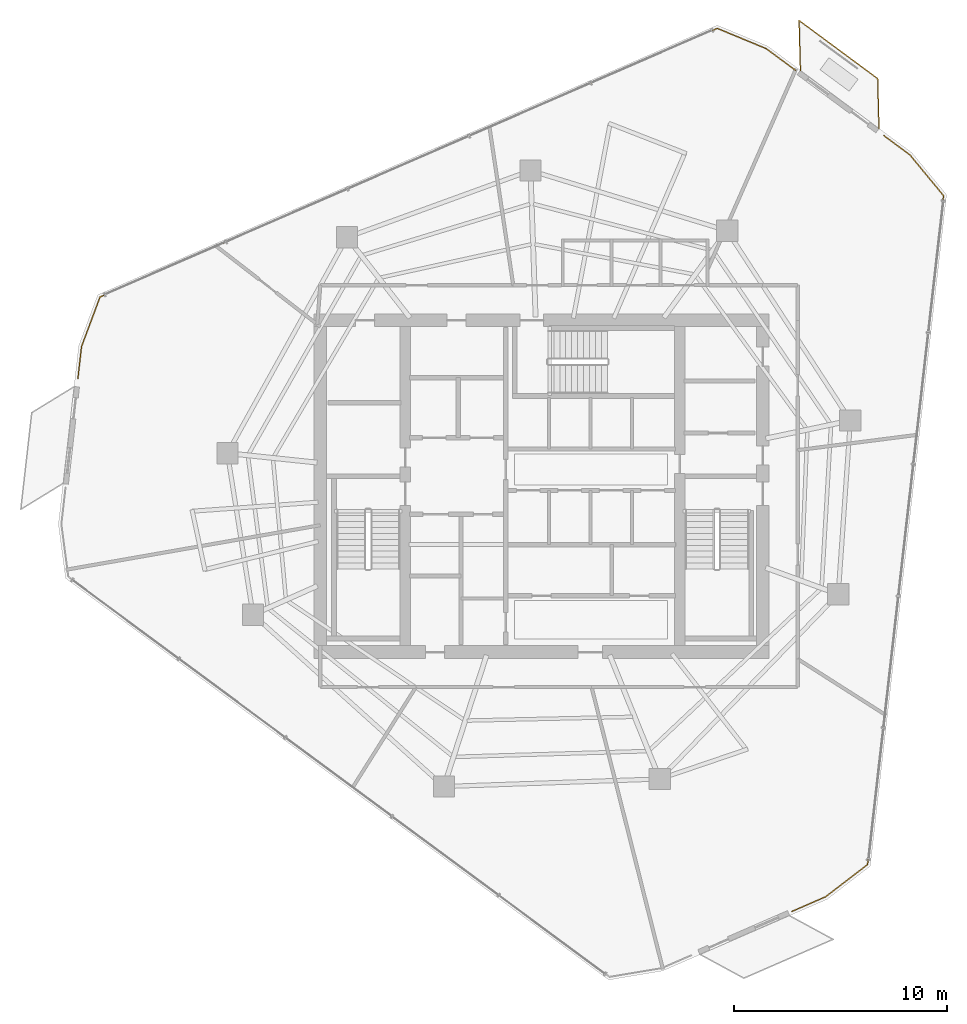
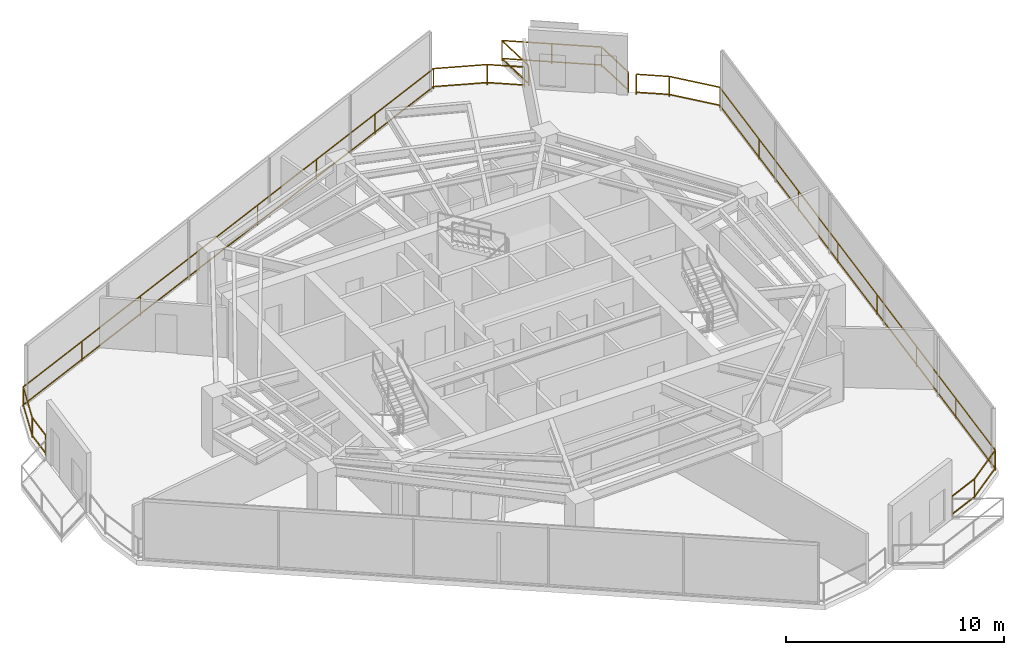
# One storey, part 22 of 22: 4 railings.
"""IFC4 building model written with IfcOpenShell, lengths in metres."""

from ifc_helpers import new_model, si_unit, direction, frame, origin, origin_2d, place, context, subcontext, project, spatial, rectangle, extrude, material, type_object, element, save


model = new_model("IFC4")

# Units and contexts
model_context = context("Model", 3, precision=1e-05, world=origin(), true_north=direction((0.0, 1.0)))
body_context = subcontext(model_context, "Body", "Model", "MODEL_VIEW")
ifc_project = project(units=[si_unit("LENGTHUNIT", "METRE"), si_unit("AREAUNIT", "SQUARE_METRE"), si_unit("VOLUMEUNIT", "CUBIC_METRE"), si_unit("PLANEANGLEUNIT", "RADIAN"), si_unit("MASSUNIT", "GRAM", prefix="KILO")], contexts=[model_context])

# Site, building, storey
site_placement = place(None, origin())
site = spatial("IfcSite", under=ifc_project, at=site_placement, CompositionType="ELEMENT")
building_placement = place(site_placement, origin())
building = spatial("IfcBuilding", under=site, at=building_placement, Name="Qarnah Convention Tower", CompositionType="ELEMENT")
storey_placement = place(building_placement, frame((0.0, 0.0, 154.5)))
storey = spatial("IfcBuildingStorey", under=building, at=storey_placement, Name="L41", CompositionType="ELEMENT", Elevation=154.5)

# Railings
ifc_material = material(Name="Black anodised aluminium", Category="aluminium")
railing_type = type_object("IfcRailingType", Name="RL-EXT-GUARD-1150", PredefinedType="GUARDRAIL", material=ifc_material)
railing_1_placement = place(storey_placement, frame((47.764892578125, 46.97607421875, 0.0)))
element("IfcRailing", 1, at=railing_1_placement, inside=storey, type_object=railing_type, Name="L41 slab-edge perimeter safety guard 01", PredefinedType="GUARDRAIL", context=body_context, shape_type="SweptSolid", body=[
    extrude(rectangle(XDim=0.048095703125, YDim=0.048095703125, at=origin_2d()), frame((0.0, 0.0, 1.1259765625), z_axis=(0.804085088929, -0.594514230075, 0.0), x_axis=(0.594514230075, 0.804085088929, 0.0)), (0.0, 0.0, 1.0), 1.7275390625),
    extrude(rectangle(XDim=0.048095703125, YDim=0.048095703125, at=origin_2d()), frame((0.0, 0.0, 0.1201171875), z_axis=(0.804085088929, -0.594514230075, 0.0), x_axis=(0.594514230075, 0.804085088929, 0.0)), (0.0, 0.0, 1.0), 1.7275390625),
    extrude(rectangle(XDim=0.0419921875, YDim=0.0419921875, at=origin_2d()), origin(), (0.0, 0.0, 1.0), 1.101806640625),
    extrude(rectangle(XDim=0.0419921875, YDim=0.0419921875, at=origin_2d()), frame((1.38916015625, -1.027099609375, 0.0)), (0.0, 0.0, 1.0), 1.101806640625),
])
railing_2_placement = place(storey_placement, frame((53.302001953125, 42.882080078125, 0.0)))
element("IfcRailing", 2, at=railing_2_placement, inside=storey, type_object=railing_type, Name="L41 slab-edge perimeter safety guard 02", PredefinedType="GUARDRAIL", context=body_context, shape_type="SweptSolid", body=[
    extrude(rectangle(XDim=0.048095703125, YDim=0.048095703125, at=origin_2d()), frame((0.0, 0.0, 1.1259765625), z_axis=(0.803975633344, -0.5946622411, 0.0), x_axis=(0.5946622411, 0.803975633344, 0.0)), (0.0, 0.0, 1.0), 1.5185546875),
    extrude(rectangle(XDim=0.048095703125, YDim=0.048095703125, at=origin_2d()), frame((0.0, 0.0, 0.1201171875), z_axis=(0.803975633344, -0.5946622411, 0.0), x_axis=(0.5946622411, 0.803975633344, 0.0)), (0.0, 0.0, 1.0), 1.5185546875),
    extrude(rectangle(XDim=0.048095703125, YDim=0.048095703125, at=origin_2d()), frame((1.220947265625, -0.903076171875, 1.1259765625), z_axis=(0.636312837947, -0.771431119585, 0.0), x_axis=(0.771431119585, 0.636312837947, 0.0)), (0.0, 0.0, 1.0), 2.486328125),
    extrude(rectangle(XDim=0.048095703125, YDim=0.048095703125, at=origin_2d()), frame((1.220947265625, -0.903076171875, 0.1201171875), z_axis=(0.636312837947, -0.771431119585, 0.0), x_axis=(0.771431119585, 0.636312837947, 0.0)), (0.0, 0.0, 1.0), 2.486328125),
    extrude(rectangle(XDim=0.048095703125, YDim=0.048095703125, at=origin_2d()), frame((2.802978515625, -2.821044921875, 1.1259765625), z_axis=(-0.112868157649, -0.993609973274, 0.0), x_axis=(0.993609973274, -0.112868157649, 0.0)), (0.0, 0.0, 1.0), 31.656494140625),
    extrude(rectangle(XDim=0.048095703125, YDim=0.048095703125, at=origin_2d()), frame((2.802978515625, -2.821044921875, 0.1201171875), z_axis=(-0.112868157649, -0.993609973274, 0.0), x_axis=(0.993609973274, -0.112868157649, 0.0)), (0.0, 0.0, 1.0), 31.656494140625),
    extrude(rectangle(XDim=0.048095703125, YDim=0.048095703125, at=origin_2d()), frame((-0.77001953125, -34.275146484375, 1.1259765625), z_axis=(-0.793196802008, -0.60896537938, 0.0), x_axis=(0.60896537938, -0.793196802008, 0.0)), (0.0, 0.0, 1.0), 2.486083984375),
    extrude(rectangle(XDim=0.048095703125, YDim=0.048095703125, at=origin_2d()), frame((-0.77001953125, -34.275146484375, 0.1201171875), z_axis=(-0.793196802008, -0.60896537938, 0.0), x_axis=(0.60896537938, -0.793196802008, 0.0)), (0.0, 0.0, 1.0), 2.486083984375),
    extrude(rectangle(XDim=0.048095703125, YDim=0.048095703125, at=origin_2d()), frame((-2.741943359375, -35.7890625, 1.1259765625), z_axis=(-0.916688007247, -0.399603675371, 0.0), x_axis=(0.399603675371, -0.916688007247, 0.0)), (0.0, 0.0, 1.0), 1.72900390625),
    extrude(rectangle(XDim=0.048095703125, YDim=0.048095703125, at=origin_2d()), frame((-2.741943359375, -35.7890625, 0.1201171875), z_axis=(-0.916688007247, -0.399603675371, 0.0), x_axis=(0.399603675371, -0.916688007247, 0.0)), (0.0, 0.0, 1.0), 1.72900390625),
    extrude(rectangle(XDim=0.0419921875, YDim=0.0419921875, at=origin_2d()), origin(), (0.0, 0.0, 1.0), 1.101806640625),
    extrude(rectangle(XDim=0.0419921875, YDim=0.0419921875, at=origin_2d()), frame((1.220947265625, -0.903076171875, 0.0)), (0.0, 0.0, 1.0), 1.101806640625),
    extrude(rectangle(XDim=0.0419921875, YDim=0.0419921875, at=origin_2d()), frame((2.802978515625, -2.821044921875, 0.0)), (0.0, 0.0, 1.0), 1.101806640625),
    extrude(rectangle(XDim=0.0419921875, YDim=0.0419921875, at=origin_2d()), frame((2.29248046875, -7.314453125, 0.0)), (0.0, 0.0, 1.0), 1.101806640625),
    extrude(rectangle(XDim=0.0419921875, YDim=0.0419921875, at=origin_2d()), frame((1.7822265625, -11.807861328125, 0.0)), (0.0, 0.0, 1.0), 1.101806640625),
    extrude(rectangle(XDim=0.0419921875, YDim=0.0419921875, at=origin_2d()), frame((1.271728515625, -16.30126953125, 0.0)), (0.0, 0.0, 1.0), 1.101806640625),
    extrude(rectangle(XDim=0.0419921875, YDim=0.0419921875, at=origin_2d()), frame((0.76123046875, -20.794921875, 0.0)), (0.0, 0.0, 1.0), 1.101806640625),
    extrude(rectangle(XDim=0.0419921875, YDim=0.0419921875, at=origin_2d()), frame((0.250732421875, -25.288330078125, 0.0)), (0.0, 0.0, 1.0), 1.101806640625),
    extrude(rectangle(XDim=0.0419921875, YDim=0.0419921875, at=origin_2d()), frame((-0.259521484375, -29.78173828125, 0.0)), (0.0, 0.0, 1.0), 1.101806640625),
    extrude(rectangle(XDim=0.0419921875, YDim=0.0419921875, at=origin_2d()), frame((-0.77001953125, -34.275146484375, 0.0)), (0.0, 0.0, 1.0), 1.101806640625),
    extrude(rectangle(XDim=0.0419921875, YDim=0.0419921875, at=origin_2d()), frame((-2.741943359375, -35.7890625, 0.0)), (0.0, 0.0, 1.0), 1.101806640625),
    extrude(rectangle(XDim=0.0419921875, YDim=0.0419921875, at=origin_2d()), frame((-4.326904296875, -36.47998046875, 0.0)), (0.0, 0.0, 1.0), 1.101806640625),
])
railing_3_placement = place(storey_placement, frame((15.39990234375, 31.4560546875, 0.0)))
element("IfcRailing", 3, at=railing_3_placement, inside=storey, type_object=railing_type, Name="L41 slab-edge perimeter safety guard 04", PredefinedType="GUARDRAIL", context=body_context, shape_type="SweptSolid", body=[
    extrude(rectangle(XDim=0.048095703125, YDim=0.048095703125, at=origin_2d()), frame((0.0, 0.0, 1.1259765625), z_axis=(0.112761706949, 0.993622059662, 0.0), x_axis=(-0.993622059662, 0.112761706949, 0.0)), (0.0, 0.0, 1.0), 1.517822265625),
    extrude(rectangle(XDim=0.048095703125, YDim=0.048095703125, at=origin_2d()), frame((0.0, 0.0, 0.1201171875), z_axis=(0.112761706949, 0.993622059662, 0.0), x_axis=(-0.993622059662, 0.112761706949, 0.0)), (0.0, 0.0, 1.0), 1.517822265625),
    extrude(rectangle(XDim=0.048095703125, YDim=0.048095703125, at=origin_2d()), frame((0.171142578125, 1.508056640625, 1.1259765625), z_axis=(0.349562209998, 0.936913155709, 0.0), x_axis=(-0.936913155709, 0.349562209998, 0.0)), (0.0, 0.0, 1.0), 2.485595703125),
    extrude(rectangle(XDim=0.048095703125, YDim=0.048095703125, at=origin_2d()), frame((0.171142578125, 1.508056640625, 0.1201171875), z_axis=(0.349562209998, 0.936913155709, 0.0), x_axis=(-0.936913155709, 0.349562209998, 0.0)), (0.0, 0.0, 1.0), 2.485595703125),
    extrude(rectangle(XDim=0.048095703125, YDim=0.048095703125, at=origin_2d()), frame((1.0400390625, 3.8369140625, 1.1259765625), z_axis=(0.916913416836, 0.39908618872, 0.0), x_axis=(-0.39908618872, 0.916913416836, 0.0)), (0.0, 0.0, 1.0), 31.657470703125),
    extrude(rectangle(XDim=0.048095703125, YDim=0.048095703125, at=origin_2d()), frame((1.0400390625, 3.8369140625, 0.1201171875), z_axis=(0.916913416836, 0.39908618872, 0.0), x_axis=(-0.39908618872, 0.916913416836, 0.0)), (0.0, 0.0, 1.0), 31.657470703125),
    extrude(rectangle(XDim=0.048095703125, YDim=0.048095703125, at=origin_2d()), frame((30.067138671875, 16.470947265625, 1.1259765625), z_axis=(0.924003675705, -0.382383586578, 0.0), x_axis=(0.382383586578, 0.924003675705, 0.0)), (0.0, 0.0, 1.0), 2.48681640625),
    extrude(rectangle(XDim=0.048095703125, YDim=0.048095703125, at=origin_2d()), frame((30.067138671875, 16.470947265625, 0.1201171875), z_axis=(0.924003675705, -0.382383586578, 0.0), x_axis=(0.382383586578, 0.924003675705, 0.0)), (0.0, 0.0, 1.0), 2.48681640625),
    extrude(rectangle(XDim=0.0419921875, YDim=0.0419921875, at=origin_2d()), origin(), (0.0, 0.0, 1.0), 1.101806640625),
    extrude(rectangle(XDim=0.0419921875, YDim=0.0419921875, at=origin_2d()), frame((0.171142578125, 1.508056640625, 0.0)), (0.0, 0.0, 1.0), 1.101806640625),
    extrude(rectangle(XDim=0.0419921875, YDim=0.0419921875, at=origin_2d()), frame((1.0400390625, 3.8369140625, 0.0)), (0.0, 0.0, 1.0), 1.101806640625),
    extrude(rectangle(XDim=0.0419921875, YDim=0.0419921875, at=origin_2d()), frame((5.186767578125, 5.641845703125, 0.0)), (0.0, 0.0, 1.0), 1.101806640625),
    extrude(rectangle(XDim=0.0419921875, YDim=0.0419921875, at=origin_2d()), frame((9.33349609375, 7.446533203125, 0.0)), (0.0, 0.0, 1.0), 1.101806640625),
    extrude(rectangle(XDim=0.0419921875, YDim=0.0419921875, at=origin_2d()), frame((13.480224609375, 9.25146484375, 0.0)), (0.0, 0.0, 1.0), 1.101806640625),
    extrude(rectangle(XDim=0.0419921875, YDim=0.0419921875, at=origin_2d()), frame((17.626953125, 11.056396484375, 0.0)), (0.0, 0.0, 1.0), 1.101806640625),
    extrude(rectangle(XDim=0.0419921875, YDim=0.0419921875, at=origin_2d()), frame((21.773681640625, 12.861328125, 0.0)), (0.0, 0.0, 1.0), 1.101806640625),
    extrude(rectangle(XDim=0.0419921875, YDim=0.0419921875, at=origin_2d()), frame((25.92041015625, 14.666015625, 0.0)), (0.0, 0.0, 1.0), 1.101806640625),
    extrude(rectangle(XDim=0.0419921875, YDim=0.0419921875, at=origin_2d()), frame((30.067138671875, 16.470947265625, 0.0)), (0.0, 0.0, 1.0), 1.101806640625),
    extrude(rectangle(XDim=0.0419921875, YDim=0.0419921875, at=origin_2d()), frame((32.364990234375, 15.52001953125, 0.0)), (0.0, 0.0, 1.0), 1.101806640625),
])
railing_4_placement = place(storey_placement, frame((49.3740234375, 45.952880859375, 0.0)))
element("IfcRailing", 4, at=railing_4_placement, inside=storey, type_object=railing_type, Name="L41 balcony safety guard BAL-L41-C1", PredefinedType="GUARDRAIL", context=body_context, shape_type="SweptSolid", body=[
    extrude(rectangle(XDim=0.048095703125, YDim=0.048095703125, at=origin_2d()), frame((0.0, 0.0, 1.1259765625), z_axis=(-0.026410588684, 0.999651179565, 0.0), x_axis=(-0.999651179565, -0.026410588684, 0.0)), (0.0, 0.0, 1.0), 2.347900390625),
    extrude(rectangle(XDim=0.048095703125, YDim=0.048095703125, at=origin_2d()), frame((0.0, 0.0, 0.1201171875), z_axis=(-0.026410588684, 0.999651179565, 0.0), x_axis=(-0.999651179565, -0.026410588684, 0.0)), (0.0, 0.0, 1.0), 2.347900390625),
    extrude(rectangle(XDim=0.048095703125, YDim=0.048095703125, at=origin_2d()), frame((-0.06201171875, 2.34716796875, 1.1259765625), z_axis=(0.804063629035, -0.594543253652, 0.0), x_axis=(0.594543253652, 0.804063629035, 0.0)), (0.0, 0.0, 1.0), 4.600341796875),
    extrude(rectangle(XDim=0.048095703125, YDim=0.048095703125, at=origin_2d()), frame((-0.06201171875, 2.34716796875, 0.1201171875), z_axis=(0.804063629035, -0.594543253652, 0.0), x_axis=(0.594543253652, 0.804063629035, 0.0)), (0.0, 0.0, 1.0), 4.600341796875),
    extrude(rectangle(XDim=0.048095703125, YDim=0.048095703125, at=origin_2d()), frame((3.636962890625, -0.387939453125, 1.1259765625), z_axis=(0.02641333415, -0.999651107026, 0.0), x_axis=(0.999651107026, 0.02641333415, 0.0)), (0.0, 0.0, 1.0), 2.34765625),
    extrude(rectangle(XDim=0.048095703125, YDim=0.048095703125, at=origin_2d()), frame((3.636962890625, -0.387939453125, 0.1201171875), z_axis=(0.02641333415, -0.999651107026, 0.0), x_axis=(0.999651107026, 0.02641333415, 0.0)), (0.0, 0.0, 1.0), 2.34765625),
    extrude(rectangle(XDim=0.0419921875, YDim=0.0419921875, at=origin_2d()), origin(), (0.0, 0.0, 1.0), 1.101806640625),
    extrude(rectangle(XDim=0.0419921875, YDim=0.0419921875, at=origin_2d()), frame((-0.06201171875, 2.34716796875, 0.0)), (0.0, 0.0, 1.0), 1.101806640625),
    extrude(rectangle(XDim=0.0419921875, YDim=0.0419921875, at=origin_2d()), frame((1.78759765625, 0.9794921875, 0.0)), (0.0, 0.0, 1.0), 1.101806640625),
    extrude(rectangle(XDim=0.0419921875, YDim=0.0419921875, at=origin_2d()), frame((3.636962890625, -0.387939453125, 0.0)), (0.0, 0.0, 1.0), 1.101806640625),
    extrude(rectangle(XDim=0.0419921875, YDim=0.0419921875, at=origin_2d()), frame((3.698974609375, -2.73486328125, 0.0)), (0.0, 0.0, 1.0), 1.101806640625),
])

save(model, "model.ifc")
